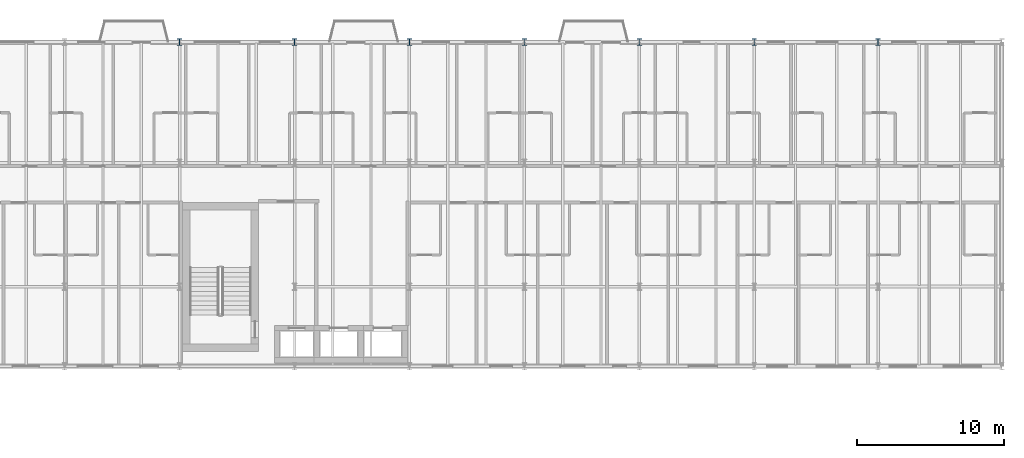
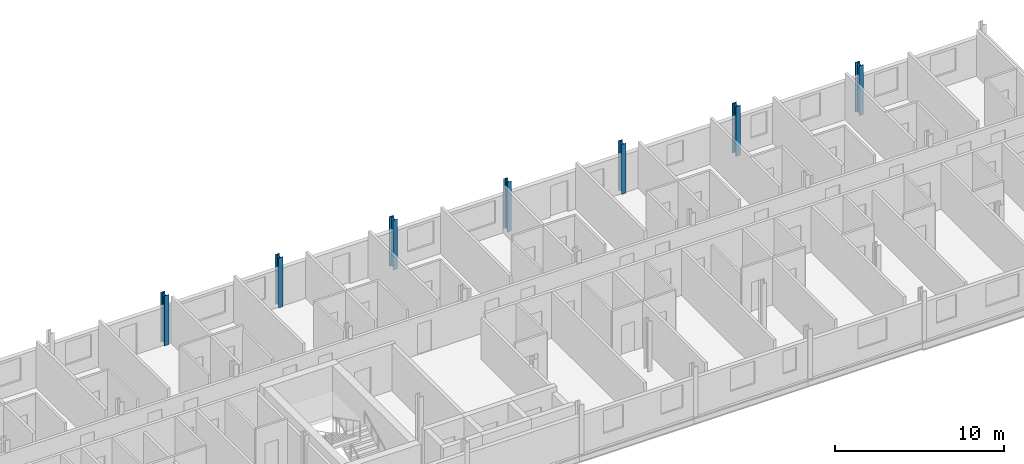
# One storey, part 5 of 34: 7 columns.
"""IFC4 building model written with IfcOpenShell, lengths in metres."""

from ifc_helpers import new_model, si_unit, direction, frame, origin, origin_2d, place, context, subcontext, project, spatial, i_section, extrude, material, material_profile, profile_set, type_object, element, save


model = new_model("IFC4")

# Units and contexts
model_context = context("Model", 3, precision=1e-05, world=origin(), true_north=direction((0.0, 1.0)))
body_context = subcontext(model_context, "Body", "Model", "MODEL_VIEW")
ifc_project = project(units=[si_unit("LENGTHUNIT", "METRE"), si_unit("AREAUNIT", "SQUARE_METRE"), si_unit("VOLUMEUNIT", "CUBIC_METRE"), si_unit("PLANEANGLEUNIT", "RADIAN"), si_unit("MASSUNIT", "GRAM", prefix="KILO")], contexts=[model_context])

# Site, building, storey
site_placement = place(None, origin())
site = spatial("IfcSite", under=ifc_project, at=site_placement, CompositionType="ELEMENT")
building_placement = place(site_placement, origin())
building = spatial("IfcBuilding", under=site, at=building_placement, Name="Sefraquen Railside Congress Hotel", CompositionType="ELEMENT")
storey_placement = place(building_placement, frame((0.0, 0.0, 31.800048828125)))
storey = spatial("IfcBuildingStorey", under=building, at=storey_placement, Name="L07", CompositionType="ELEMENT", Elevation=31.800048828125)

# Columns
ifc_material = material(Name="Steel S355JR", Category="steel")
ifc_material_profile = material_profile(ifc_material, i_section(OverallWidth=0.300048828125, OverallDepth=0.449951171875, WebThickness=0.013916015625, FlangeThickness=0.02587890625, FilletRadius=0.027099609375, at=origin_2d()), Name="HEB 450")
ifc_profile_set = profile_set([ifc_material_profile], Name="Steel S355JR")
column_type = type_object("IfcColumnType", Name="TC-HEB-450", PredefinedType="COLUMN", material=ifc_profile_set)
for number, where, z_axis, x_axis, name in (
    (1, (64.199951171875, 118.0, 0.0), (0.0, 0.0, 1.0), (1.0, 0.0, 0.0), "Structural column 9-Q L07"),
    (2, (72.0, 118.0, 0.0), (0.0, 0.0, 1.0), (1.0, 0.0, 0.0), "Structural column 10-Q L07"),
    (3, (79.800048828125, 118.0, 0.0), (0.0, 0.0, 1.0), (1.0, 0.0, 0.0), "Structural column 11-Q L07"),
    (4, (87.60009765625, 118.0, 0.0), (0.0, 0.0, 1.0), (1.0, 0.0, 0.0), "Structural column 12-Q L07"),
    (5, (95.39990234375, 118.0, 0.0), (0.0, 0.0, 1.0), (1.0, 0.0, 0.0), "Structural column 13-Q L07"),
    (6, (103.199951171875, 118.0, 0.0), (0.0, 0.0, 1.0), (1.0, 0.0, 0.0), "Structural column 14-Q L07"),
    (7, (111.60009765625, 118.0, 0.0), (0.0, 0.0, 1.0), (1.0, 0.0, 0.0), "Structural column 15-Q L07"),
):
    element("IfcColumn", number, at=place(storey_placement, frame(where, z_axis=z_axis, x_axis=x_axis)), inside=storey, type_object=column_type, Name=name, PredefinedType="COLUMN", context=body_context, shape_type="SweptSolid", body=[
        extrude(i_section(OverallWidth=0.300048828125, OverallDepth=0.449951171875, WebThickness=0.013916015625, FlangeThickness=0.02587890625, FilletRadius=0.027099609375, at=origin_2d()), origin(), (0.0, 0.0, 1.0), 3.599853515625),
    ])

save(model, "model.ifc")
